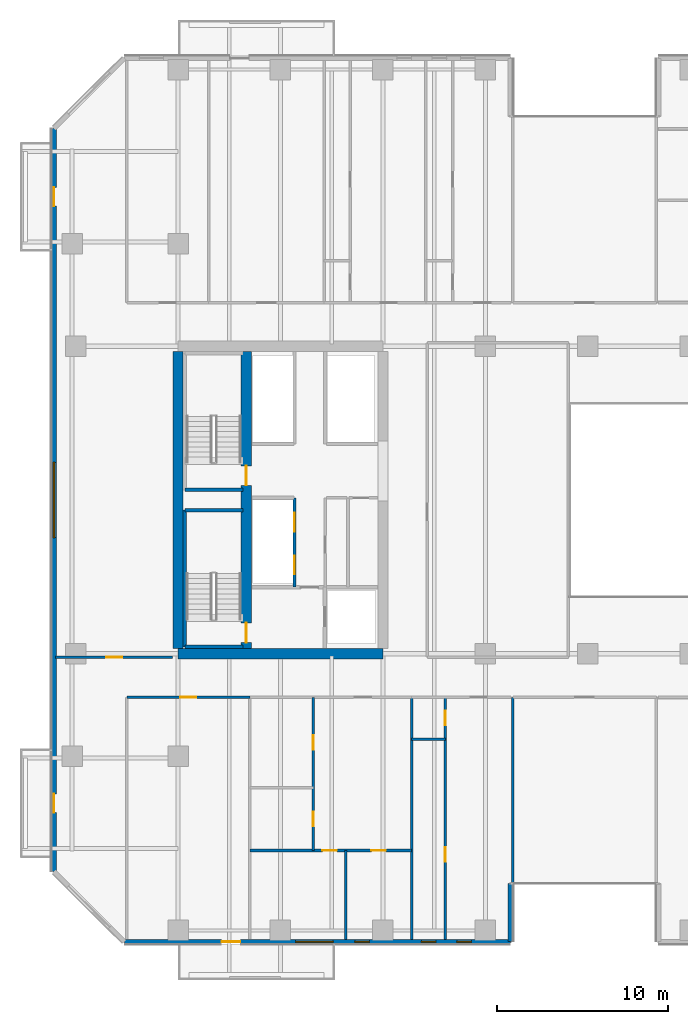
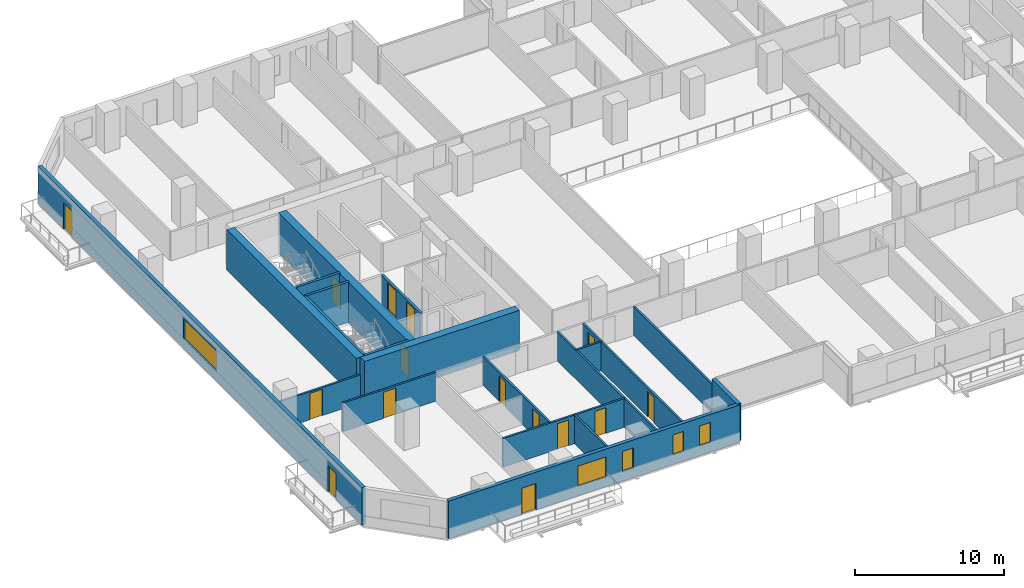
# One storey, part 10 of 26: 20 walls, 15 doors, 5 windows, 20 openings.
"""IFC4 building model written with IfcOpenShell, lengths in metres."""

import ifcopenshell
import ifcopenshell.guid

model = None  # the IFC model being written
_history = None  # IfcOwnerHistory: only IFC2X3 demands one
_inside = {}  # id of a spatial element -> (the spatial element, [elements in it])
_under = {}  # id of a project, library or spatial element -> (it, [spatial elements below it])
_declared = {}  # id of a project -> (the project, [libraries it declares])
_typed = {}  # id of a type object -> (the type object, [elements of that type])
_made_of = {}  # id of a material, layer set ... -> (it, [elements and type objects made of it])


def new_model(schema):
    """Start an empty IFC model of exactly this schema.

    Asked for "IFC4X3", IfcOpenShell would pick the latest addendum, in which some entities
    have other attributes; the version numbers below select the first issue.
    IFC2X3 requires an IfcOwnerHistory on every rooted entity: one is made here for all.
    """
    global model, _history
    if schema == "IFC4X3":
        model = ifcopenshell.file(schema_version=(4, 3, 0, 0))
    else:
        model = ifcopenshell.file(schema=schema)
    _inside.clear()
    _under.clear()
    _declared.clear()
    _typed.clear()
    _made_of.clear()
    _history = None
    if model.schema == "IFC2X3":
        org = make("IfcOrganization", Name="unknown")
        user = make(
            "IfcPersonAndOrganization",
            ThePerson=make("IfcPerson", FamilyName="unknown"),
            TheOrganization=org,
        )
        app = make(
            "IfcApplication",
            ApplicationDeveloper=org,
            Version="unknown",
            ApplicationFullName="unknown",
            ApplicationIdentifier="unknown",
        )
        _history = make(
            "IfcOwnerHistory",
            OwningUser=user,
            OwningApplication=app,
            ChangeAction="ADDED",
            CreationDate=0,
        )
    return model


def make(cls, **values):
    """One entity of the class cls with the attributes given. An attribute that is None is left unset."""
    return model.create_entity(
        cls, **{name: value for name, value in values.items() if value is not None}
    )


def rooted(cls, **values):
    """An entity with a GlobalId (a new one), such as an element, a storey or a relation."""
    return make(cls, GlobalId=ifcopenshell.guid.new(), OwnerHistory=_history, **values)


def si_unit(unit_type, name, prefix=None):
    """IfcSIUnit, for example si_unit("LENGTHUNIT", "METRE", prefix="MILLI")."""
    return make("IfcSIUnit", UnitType=unit_type, Prefix=prefix, Name=name)


def assignment(units):
    """IfcUnitAssignment: the units of a project."""
    return None if units is None else make("IfcUnitAssignment", Units=units)


def point(xyz):
    """IfcCartesianPoint."""
    return None if xyz is None else make("IfcCartesianPoint", Coordinates=xyz)


def direction(xyz):
    """IfcDirection."""
    return None if xyz is None else make("IfcDirection", DirectionRatios=xyz)


def frame(location, z_axis=None, x_axis=None):
    """IfcAxis2Placement3D, a coordinate frame: its origin and axes. An axis left out is left unset."""
    return make(
        "IfcAxis2Placement3D",
        Location=point(location),
        Axis=direction(z_axis),
        RefDirection=direction(x_axis),
    )


def frame_2d(location, x_axis=None):
    """IfcAxis2Placement2D, a coordinate frame in the plane: its origin and x axis."""
    return make(
        "IfcAxis2Placement2D", Location=point(location), RefDirection=direction(x_axis)
    )


def origin():
    """The frame at (0, 0, 0) with its axes left unset."""
    return frame((0.0, 0.0, 0.0))


def place(relative_to, where):
    """IfcLocalPlacement: puts the frame where relative to a parent placement (None: the world)."""
    return make(
        "IfcLocalPlacement", PlacementRelTo=relative_to, RelativePlacement=where
    )


def context(
    kind, dimensions, precision=None, world=None, true_north=None, identifier=None
):
    """IfcGeometricRepresentationContext, for example the 3D "Model" context."""
    return make(
        "IfcGeometricRepresentationContext",
        ContextIdentifier=identifier,
        ContextType=kind,
        CoordinateSpaceDimension=dimensions,
        Precision=precision,
        WorldCoordinateSystem=world,
        TrueNorth=true_north,
    )


def subcontext(parent, identifier, kind, view, scale=None):
    """IfcGeometricRepresentationSubContext, for example "Body" below "Model"."""
    return make(
        "IfcGeometricRepresentationSubContext",
        ContextIdentifier=identifier,
        ContextType=kind,
        ParentContext=parent,
        TargetScale=scale,
        TargetView=view,
    )


def project(units=None, contexts=None):
    """IfcProject with its units and contexts."""
    return rooted(
        "IfcProject",
        Name="project",
        RepresentationContexts=contexts,
        UnitsInContext=assignment(units),
    )


def spatial(cls, under=None, at=None, **own):
    """A site, building, storey or space (cls), placed at a placement, below another one or the project."""
    s = rooted(cls, ObjectPlacement=at, **own)
    if under is not None:
        _under.setdefault(under.id(), (under, []))[1].append(s)
    return s


def profile(cls, at=None, kind="AREA", **sizes):
    """A parametric profile (cls). Its sizes go by their IFC names, for example OverallWidth=200.0."""
    return make(cls, ProfileType=kind, Position=at, **sizes)


def rectangle(**sizes):
    """IfcRectangleProfileDef."""
    return profile("IfcRectangleProfileDef", **sizes)


def extrude(swept, where, along, depth):
    """IfcExtrudedAreaSolid: the profile swept, set in the frame where, extruded along a direction by depth."""
    return make(
        "IfcExtrudedAreaSolid",
        SweptArea=swept,
        Position=where,
        ExtrudedDirection=direction(along),
        Depth=depth,
    )


def shape(context_of_items, identifier, shape_type, items):
    """IfcShapeRepresentation: the items that make up one representation, for example the "Body"."""
    return make(
        "IfcShapeRepresentation",
        ContextOfItems=context_of_items,
        RepresentationIdentifier=identifier,
        RepresentationType=shape_type,
        Items=items,
    )


def material(Name=None, Category=None):
    """IfcMaterial."""
    return make("IfcMaterial", Name=Name, Category=Category)


def layer(
    of_material, thickness, ventilated=None, Name=None, Category=None, Priority=None
):
    """IfcMaterialLayer: one layer of a wall or slab, of a material (None: an air gap)."""
    return make(
        "IfcMaterialLayer",
        Material=of_material,
        LayerThickness=thickness,
        IsVentilated=ventilated,
        Name=Name,
        Category=Category,
        Priority=Priority,
    )


def layer_set(layers, Name=None):
    """IfcMaterialLayerSet."""
    return make("IfcMaterialLayerSet", MaterialLayers=layers, LayerSetName=Name)


def made_of(thing, what):
    """Note that an element or type object is made of a material, layer set ...; save() writes the relation."""
    if what is not None:
        _made_of.setdefault(what.id(), (what, []))[1].append(thing)
    return thing


def type_object(cls, material=None, **own):
    """A type object (cls), such as IfcWallType, which elements share."""
    return made_of(rooted(cls, **own), material)


def element(
    cls,
    number,
    at=None,
    inside=None,
    cuts=None,
    type_object=None,
    material=None,
    context=None,
    identifier="Body",
    shape_type=None,
    held_by="IfcProductDefinitionShape",
    body=None,
    shapes=None,
    **own,
):
    """One element of the class cls, such as IfcWall. Its Tag is "e" and its number.

    at: its placement. inside: the storey or other place that contains it. cuts: it is an
    opening in that element (IfcRelVoidsElement). A single representation is given by context,
    identifier, shape_type and body (its items); several are given by shapes. held_by: the class
    of the entity that holds the representations. save() writes the other relations.
    """
    e = rooted(cls, Tag="e%d" % number, ObjectPlacement=at, **own)
    if body is not None:
        shapes = [shape(context, identifier, shape_type, body)]
    if shapes is not None:
        e.Representation = make(held_by, Representations=shapes)
    if inside is not None:
        _inside.setdefault(inside.id(), (inside, []))[1].append(e)
    if cuts is not None:
        rooted(
            "IfcRelVoidsElement", RelatingBuildingElement=cuts, RelatedOpeningElement=e
        )
    if type_object is not None:
        _typed.setdefault(type_object.id(), (type_object, []))[1].append(e)
    return made_of(e, material)


def fill(opening, filler):
    """IfcRelFillsElement: the door or window that sits in an opening."""
    return rooted(
        "IfcRelFillsElement",
        RelatingOpeningElement=opening,
        RelatedBuildingElement=filler,
    )


def aggregate(whole, parts):
    """IfcRelAggregates: a whole, such as a stair, and the parts it consists of."""
    return rooted("IfcRelAggregates", RelatingObject=whole, RelatedObjects=parts)


def save(model, path):
    """Write the relations noted so far, then the file.

    IfcRelAggregates (storeys below a building ...), IfcRelContainedInSpatialStructure (elements
    in a storey), IfcRelDefinesByType, IfcRelAssociatesMaterial and IfcRelDeclares: one each for
    every whole, place, type object, material and project.
    """
    for whole, parts in _under.values():
        aggregate(whole, parts)
    for where, things in _inside.values():
        rooted(
            "IfcRelContainedInSpatialStructure",
            RelatedElements=things,
            RelatingStructure=where,
        )
    for kind, things in _typed.values():
        rooted("IfcRelDefinesByType", RelatedObjects=things, RelatingType=kind)
    for what, things in _made_of.values():
        rooted("IfcRelAssociatesMaterial", RelatedObjects=things, RelatingMaterial=what)
    for by, libraries in _declared.values():
        rooted("IfcRelDeclares", RelatingContext=by, RelatedDefinitions=libraries)
    model.write(path)


model = new_model("IFC4")

# Units and contexts
model_context = context("Model", 3, precision=1e-05, world=origin(), true_north=direction((0.0, 1.0)))
body_context = subcontext(model_context, "Body", "Model", "MODEL_VIEW")
ifc_project = project(units=[si_unit("LENGTHUNIT", "METRE"), si_unit("AREAUNIT", "SQUARE_METRE"), si_unit("VOLUMEUNIT", "CUBIC_METRE"), si_unit("PLANEANGLEUNIT", "RADIAN"), si_unit("MASSUNIT", "GRAM", prefix="KILO")], contexts=[model_context])

# Site, building, storey
site_placement = place(None, origin())
site = spatial("IfcSite", under=ifc_project, at=site_placement, CompositionType="ELEMENT")
building_placement = place(site_placement, origin())
building = spatial("IfcBuilding", under=site, at=building_placement, Name="Tanjung Sevakor Pilgrim Tower", CompositionType="ELEMENT")
storey_placement = place(building_placement, frame((0.0, 0.0, 45.5400390625)))
storey = spatial("IfcBuildingStorey", under=building, at=storey_placement, Name="L12", CompositionType="ELEMENT", Elevation=45.5400390625)

# Walls
ifc_material_1 = material(Name="Concrete C60/75", Category="concrete")
ifc_layer_1 = layer(ifc_material_1, 0.60009765625)
ifc_layer_set_1 = layer_set([ifc_layer_1], Name="WALL-CW-600")
wall_type_1 = type_object("IfcWallType", Name="WALL-CW-600", PredefinedType="SHEAR", material=ifc_layer_set_1)
wall_1_placement = place(storey_placement, frame((24.0, 24.60009765625, 0.0), z_axis=(0.0, 0.0, 1.0), x_axis=(1.0, 0.0, 0.0)))
element("IfcWall", 1, at=wall_1_placement, inside=storey, type_object=wall_type_1, Name="L12 W Core South Shear Wall", PredefinedType="SHEAR", context=body_context, shape_type="SweptSolid", body=[
    extrude(rectangle(XDim=12.0, YDim=0.60009765625, at=frame_2d((6.0, 0.0))), origin(), (0.0, 0.0, 1.0), 3.300048828125),
])
wall_2_placement = place(storey_placement, frame((24.0, 24.89990234375, 0.0), z_axis=(0.0, 0.0, 1.0), x_axis=(0.0, 1.0, 0.0)))
element("IfcWall", 2, at=wall_2_placement, inside=storey, type_object=wall_type_1, Name="L12 W Core Outer Shear Wall", PredefinedType="SHEAR", context=body_context, shape_type="SweptSolid", body=[
    extrude(rectangle(XDim=17.400146484375, YDim=0.60009765625, at=frame_2d((8.7001953125, 0.0))), origin(), (0.0, 0.0, 1.0), 3.300048828125),
])

# Wall, openings, doors
wall_3_placement = place(storey_placement, frame((28.0, 24.89990234375, 0.0), z_axis=(0.0, 0.0, 1.0), x_axis=(0.0, 1.0, 0.0)))
wall_3 = element("IfcWall", 3, at=wall_3_placement, inside=storey, type_object=wall_type_1, Name="L12 W Core Stair Spine Wall", PredefinedType="SHEAR", context=body_context, shape_type="SweptSolid", body=[
    extrude(rectangle(XDim=17.400146484375, YDim=0.60009765625, at=frame_2d((8.7001953125, 0.0))), origin(), (0.0, 0.0, 1.0), 3.300048828125),
])
opening_1_placement = place(wall_3_placement, frame((0.35009765625, 0.0, 0.0)))
opening_1 = element("IfcOpeningElement", 4, at=opening_1_placement, cuts=wall_3, Name="Opening ID-ST1", PredefinedType="OPENING", context=body_context, shape_type="SweptSolid", body=[
    extrude(rectangle(XDim=1.14990234375, YDim=2.14990234375, at=frame_2d((0.574951171875, 1.074951171875))), frame((0.0, 0.31005859375, 0.0), z_axis=(0.0, -1.0, 0.0), x_axis=(1.0, 0.0, 0.0)), (0.0, 0.0, 1.0), 0.6201171875),
])
opening_2_placement = place(wall_3_placement, frame((9.550048828125, 0.0, 0.0)))
opening_2 = element("IfcOpeningElement", 5, at=opening_2_placement, cuts=wall_3, Name="Opening ID-ST1", PredefinedType="OPENING", context=body_context, shape_type="SweptSolid", body=[
    extrude(rectangle(XDim=1.14990234375, YDim=2.14990234375, at=frame_2d((0.574951171875, 1.074951171875))), frame((0.0, 0.31005859375, 0.0), z_axis=(0.0, -1.0, 0.0), x_axis=(1.0, 0.0, 0.0)), (0.0, 0.0, 1.0), 0.6201171875),
])
ifc_material_2 = material(Name="Fire-Rated Steel S355J2", Category="steel")
door_type_1 = type_object("IfcDoorType", Name="DT-FIRE-1150", OperationType="NOTDEFINED", PredefinedType="DOOR", material=ifc_material_2)
door_1_placement = place(opening_1_placement, origin())
door_1 = element("IfcDoor", 6, at=door_1_placement, inside=storey, type_object=door_type_1, Name="L12 TS-W1 Stair Fire Door", OperationType="SINGLE_SWING_LEFT", OverallHeight=2.14990234375, OverallWidth=1.14990234375, PredefinedType="DOOR", context=body_context, shape_type="SweptSolid", body=[
    extrude(rectangle(XDim=1.14990234375, YDim=2.14990234375, at=frame_2d((0.574951171875, 1.074951171875))), frame((0.0, 0.02490234375, 0.0), z_axis=(0.0, -1.0, 0.0), x_axis=(1.0, 0.0, 0.0)), (0.0, 0.0, 1.0), 0.050048828125),
])
fill(opening_1, door_1)
door_2_placement = place(opening_2_placement, origin())
door_2 = element("IfcDoor", 7, at=door_2_placement, inside=storey, type_object=door_type_1, Name="L12 TS-W2 Stair Fire Door", OperationType="SINGLE_SWING_RIGHT", OverallHeight=2.14990234375, OverallWidth=1.14990234375, PredefinedType="DOOR", context=body_context, shape_type="SweptSolid", body=[
    extrude(rectangle(XDim=1.14990234375, YDim=2.14990234375, at=frame_2d((0.574951171875, 1.074951171875))), frame((0.0, 0.02490234375, 0.0), z_axis=(0.0, -1.0, 0.0), x_axis=(1.0, 0.0, 0.0)), (0.0, 0.0, 1.0), 0.050048828125),
])
fill(opening_2, door_2)

# Wall, opening, door
ifc_material_3 = material(Name="Concrete C40/50", Category="concrete")
ifc_layer_2 = layer(ifc_material_3, 0.14990234375)
ifc_layer_set_2 = layer_set([ifc_layer_2], Name="WT-COMP-150")
wall_type_2 = type_object("IfcWallType", Name="WT-COMP-150", PredefinedType="SOLIDWALL", material=ifc_layer_set_2)
wall_4_placement = place(storey_placement, frame((16.840087890625, 24.39990234375, 0.0), z_axis=(0.0, 0.0, 1.0), x_axis=(1.0, 0.0, 0.0)))
wall_4 = element("IfcWall", 8, at=wall_4_placement, inside=storey, type_object=wall_type_2, Name="L12 Partition IW-L12-033", PredefinedType="SOLIDWALL", context=body_context, shape_type="SweptSolid", body=[
    extrude(rectangle(XDim=6.83984375, YDim=0.14990234375, at=frame_2d((3.419921875, 0.0))), origin(), (0.0, 0.0, 1.0), 2.295166015625),
])
opening_3_placement = place(wall_4_placement, frame((2.945068359375, 0.0, 0.0)))
opening_3 = element("IfcOpeningElement", 9, at=opening_3_placement, cuts=wall_4, Name="Opening ID-FD2", PredefinedType="OPENING", context=body_context, shape_type="SweptSolid", body=[
    extrude(rectangle(XDim=0.949951171875, YDim=2.14990234375, at=frame_2d((0.47509765625, 1.074951171875))), frame((0.0, 0.0849609375, 0.0), z_axis=(0.0, -1.0, 0.0), x_axis=(1.0, 0.0, 0.0)), (0.0, 0.0, 1.0), 0.169921875),
])
ifc_material_4 = material(Name="Fire-Rated Timber", Category="wood")
door_type_2 = type_object("IfcDoorType", Name="DT-FIRE-950", OperationType="NOTDEFINED", PredefinedType="DOOR", material=ifc_material_4)
door_3_placement = place(opening_3_placement, origin())
door_3 = element("IfcDoor", 10, at=door_3_placement, inside=storey, type_object=door_type_2, Name="Study Room Entrance", OperationType="SINGLE_SWING_RIGHT", OverallHeight=2.14990234375, OverallWidth=0.949951171875, PredefinedType="DOOR", context=body_context, shape_type="SweptSolid", body=[
    extrude(rectangle(XDim=0.949951171875, YDim=2.14990234375, at=frame_2d((0.47509765625, 1.074951171875))), frame((0.0, 0.02490234375, 0.0), z_axis=(0.0, -1.0, 0.0), x_axis=(1.0, 0.0, 0.0)), (0.0, 0.0, 1.0), 0.050048828125),
])
fill(opening_3, door_3)

# Wall
wall_5_placement = place(storey_placement, frame((43.60009765625, 7.8798828125, 0.0), z_axis=(0.0, 0.0, 1.0), x_axis=(0.0, 1.0, 0.0)))
element("IfcWall", 11, at=wall_5_placement, inside=storey, type_object=wall_type_2, Name="L12 Partition IW-L12-041", PredefinedType="SOLIDWALL", context=body_context, shape_type="SweptSolid", body=[
    extrude(rectangle(XDim=14.170166015625, YDim=0.14990234375, at=frame_2d((7.0849609375, 0.0))), origin(), (0.0, 0.0, 1.0), 2.35009765625),
])

# Wall, opening, door
wall_6_placement = place(storey_placement, frame((21.0, 22.050048828125, 0.0), z_axis=(0.0, 0.0, 1.0), x_axis=(1.0, 0.0, 0.0)))
wall_6 = element("IfcWall", 12, at=wall_6_placement, inside=storey, type_object=wall_type_2, Name="L12 Partition IW-L12-048", PredefinedType="SOLIDWALL", context=body_context, shape_type="SweptSolid", body=[
    extrude(rectangle(XDim=7.20654296875, YDim=0.14990234375, at=frame_2d((3.603271484375, 0.0))), origin(), (0.0, 0.0, 1.0), 2.35009765625),
])
opening_4_placement = place(wall_6_placement, frame((3.128173828125, 0.0, 0.0)))
opening_4 = element("IfcOpeningElement", 13, at=opening_4_placement, cuts=wall_6, Name="Opening ID-FD2", PredefinedType="OPENING", context=body_context, shape_type="SweptSolid", body=[
    extrude(rectangle(XDim=0.949951171875, YDim=2.14990234375, at=frame_2d((0.47509765625, 1.074951171875))), frame((0.0, 0.0849609375, 0.0), z_axis=(0.0, -1.0, 0.0), x_axis=(1.0, 0.0, 0.0)), (0.0, 0.0, 1.0), 0.169921875),
])
door_4_placement = place(opening_4_placement, origin())
door_4 = element("IfcDoor", 14, at=door_4_placement, inside=storey, type_object=door_type_2, Name="Study Room Entrance", OperationType="SINGLE_SWING_LEFT", OverallHeight=2.14990234375, OverallWidth=0.949951171875, PredefinedType="DOOR", context=body_context, shape_type="SweptSolid", body=[
    extrude(rectangle(XDim=0.949951171875, YDim=2.14990234375, at=frame_2d((0.47509765625, 1.074951171875))), frame((0.0, 0.02490234375, 0.0), z_axis=(0.0, -1.0, 0.0), x_axis=(1.0, 0.0, 0.0)), (0.0, 0.0, 1.0), 0.050048828125),
])
fill(opening_4, door_4)

# Wall
wall_7_placement = place(storey_placement, frame((37.671875, 7.8798828125, 0.0), z_axis=(0.0, 0.0, 1.0), x_axis=(0.0, 1.0, 0.0)))
element("IfcWall", 15, at=wall_7_placement, inside=storey, type_object=wall_type_2, Name="L12 Partition IW-L12-049", PredefinedType="SOLIDWALL", context=body_context, shape_type="SweptSolid", body=[
    extrude(rectangle(XDim=14.170166015625, YDim=0.14990234375, at=frame_2d((7.0849609375, 0.0))), origin(), (0.0, 0.0, 1.0), 2.35009765625),
])

# Wall, openings, door, windows
ifc_material_5 = material(Name="Precast concrete C45/55", Category="concrete")
ifc_layer_3 = layer(ifc_material_5, 0.280029296875)
ifc_layer_set_3 = layer_set([ifc_layer_3], Name="WT-EW-STN2")
wall_type_3 = type_object("IfcWallType", Name="WT-EW-STN2", PredefinedType="SOLIDWALL", material=ifc_layer_set_3)
wall_8_placement = place(storey_placement, frame((20.85791015625, 7.739990234375, 0.0), z_axis=(0.0, 0.0, 1.0), x_axis=(1.0, 0.0, 0.0)))
wall_8 = element("IfcWall", 16, at=wall_8_placement, inside=storey, type_object=wall_type_3, Name="L12 MAIN Exterior Wall 1", PredefinedType="SOLIDWALL", context=body_context, shape_type="SweptSolid", body=[
    extrude(rectangle(XDim=22.60205078125, YDim=0.280029296875, at=frame_2d((11.301025390625, 0.0))), origin(), (0.0, 0.0, 1.0), 3.080078125),
])
opening_5_placement = place(wall_8_placement, frame((5.69189453125, 0.0, 0.0)))
opening_5 = element("IfcOpeningElement", 17, at=opening_5_placement, cuts=wall_8, Name="Opening ED-BAL-1100", PredefinedType="OPENING", context=body_context, shape_type="SweptSolid", body=[
    extrude(rectangle(XDim=1.10009765625, YDim=2.14990234375, at=frame_2d((0.550048828125, 1.074951171875))), frame((0.0, 0.14990234375, 0.0), z_axis=(0.0, -1.0, 0.0), x_axis=(1.0, 0.0, 0.0)), (0.0, 0.0, 1.0), 0.300048828125),
])
opening_6_placement = place(wall_8_placement, frame((10.025146484375, 0.0, 0.780029296875)))
opening_6 = element("IfcOpeningElement", 18, at=opening_6_placement, cuts=wall_8, Name="Opening WN-Z1-1660", PredefinedType="OPENING", context=body_context, shape_type="SweptSolid", body=[
    extrude(rectangle(XDim=2.199951171875, YDim=1.659912109375, at=frame_2d((1.10009765625, 0.830078125))), frame((0.0, 0.14990234375, 0.0), z_axis=(0.0, -1.0, 0.0), x_axis=(1.0, 0.0, 0.0)), (0.0, 0.0, 1.0), 0.300048828125),
])
opening_7_placement = place(wall_8_placement, frame((13.492919921875, 0.0, 0.780029296875)))
opening_7 = element("IfcOpeningElement", 19, at=opening_7_placement, cuts=wall_8, Name="Opening WN-SLM", PredefinedType="OPENING", context=body_context, shape_type="SweptSolid", body=[
    extrude(rectangle(XDim=0.85009765625, YDim=1.64990234375, at=frame_2d((0.425048828125, 0.824951171875))), frame((0.0, 0.14990234375, 0.0), z_axis=(0.0, -1.0, 0.0), x_axis=(1.0, 0.0, 0.0)), (0.0, 0.0, 1.0), 0.300048828125),
])
opening_8_placement = place(wall_8_placement, frame((17.38623046875, 0.0, 0.780029296875)))
opening_8 = element("IfcOpeningElement", 20, at=opening_8_placement, cuts=wall_8, Name="Opening WN-SLM", PredefinedType="OPENING", context=body_context, shape_type="SweptSolid", body=[
    extrude(rectangle(XDim=0.85009765625, YDim=1.64990234375, at=frame_2d((0.425048828125, 0.824951171875))), frame((0.0, 0.14990234375, 0.0), z_axis=(0.0, -1.0, 0.0), x_axis=(1.0, 0.0, 0.0)), (0.0, 0.0, 1.0), 0.300048828125),
])
opening_9_placement = place(wall_8_placement, frame((19.47021484375, 0.0, 0.780029296875)))
opening_9 = element("IfcOpeningElement", 21, at=opening_9_placement, cuts=wall_8, Name="Opening WN-SLM", PredefinedType="OPENING", context=body_context, shape_type="SweptSolid", body=[
    extrude(rectangle(XDim=0.85009765625, YDim=1.64990234375, at=frame_2d((0.425048828125, 0.824951171875))), frame((0.0, 0.14990234375, 0.0), z_axis=(0.0, -1.0, 0.0), x_axis=(1.0, 0.0, 0.0)), (0.0, 0.0, 1.0), 0.300048828125),
])
ifc_material_6 = material(Name="Anodised Aluminium and Laminated Glass", Category="aluminium")
door_type_3 = type_object("IfcDoorType", Name="DTYP-ED-BAL-1100", OperationType="NOTDEFINED", PredefinedType="DOOR", material=ifc_material_6)
door_5_placement = place(opening_5_placement, frame((1.10009765625, 0.0, 0.0), z_axis=(0.0, 0.0, 1.0), x_axis=(-1.0, 0.0, 0.0)))
door_5 = element("IfcDoor", 22, at=door_5_placement, inside=storey, type_object=door_type_3, Name="L12 Balcony Door MAIN-S1", OperationType="SINGLE_SWING_RIGHT", OverallHeight=2.14990234375, OverallWidth=1.10009765625, PredefinedType="DOOR", context=body_context, shape_type="SweptSolid", body=[
    extrude(rectangle(XDim=1.10009765625, YDim=2.14990234375, at=frame_2d((0.550048828125, 1.074951171875))), frame((0.0, 0.02490234375, 0.0), z_axis=(0.0, -1.0, 0.0), x_axis=(1.0, 0.0, 0.0)), (0.0, 0.0, 1.0), 0.050048828125),
])
fill(opening_5, door_5)
ifc_material_7 = material(Name="Thermally Broken Aluminium and Low-E Glass", Category="aluminium")
window_type_1 = type_object("IfcWindowType", Name="WTYP-WN-SLM", PartitioningType="SINGLE_PANEL", PredefinedType="WINDOW", material=ifc_material_7)
window_1_placement = place(opening_7_placement, origin())
window_1 = element("IfcWindow", 23, at=window_1_placement, inside=storey, type_object=window_type_1, Name="L12 Facade Window 02", OverallHeight=1.64990234375, OverallWidth=0.85009765625, PartitioningType="SINGLE_PANEL", PredefinedType="WINDOW", context=body_context, shape_type="SweptSolid", body=[
    extrude(rectangle(XDim=0.85009765625, YDim=1.64990234375, at=frame_2d((0.425048828125, 0.824951171875))), frame((0.0, 0.030029296875, 0.0), z_axis=(0.0, -1.0, 0.0), x_axis=(1.0, 0.0, 0.0)), (0.0, 0.0, 1.0), 0.06005859375),
])
fill(opening_7, window_1)
window_2_placement = place(opening_8_placement, origin())
window_2 = element("IfcWindow", 24, at=window_2_placement, inside=storey, type_object=window_type_1, Name="L12 Facade Window 03", OverallHeight=1.64990234375, OverallWidth=0.85009765625, PartitioningType="SINGLE_PANEL", PredefinedType="WINDOW", context=body_context, shape_type="SweptSolid", body=[
    extrude(rectangle(XDim=0.85009765625, YDim=1.64990234375, at=frame_2d((0.425048828125, 0.824951171875))), frame((0.0, 0.030029296875, 0.0), z_axis=(0.0, -1.0, 0.0), x_axis=(1.0, 0.0, 0.0)), (0.0, 0.0, 1.0), 0.06005859375),
])
fill(opening_8, window_2)
window_3_placement = place(opening_9_placement, origin())
window_3 = element("IfcWindow", 25, at=window_3_placement, inside=storey, type_object=window_type_1, Name="L12 Facade Window 04", OverallHeight=1.64990234375, OverallWidth=0.85009765625, PartitioningType="SINGLE_PANEL", PredefinedType="WINDOW", context=body_context, shape_type="SweptSolid", body=[
    extrude(rectangle(XDim=0.85009765625, YDim=1.64990234375, at=frame_2d((0.425048828125, 0.824951171875))), frame((0.0, 0.030029296875, 0.0), z_axis=(0.0, -1.0, 0.0), x_axis=(1.0, 0.0, 0.0)), (0.0, 0.0, 1.0), 0.06005859375),
])
fill(opening_9, window_3)
ifc_material_8 = material(Name="Thermally Broken Aluminium and Low-E Glass", Category="aluminium")
window_type_2 = type_object("IfcWindowType", Name="WTYP-WN-Z1-1660", PartitioningType="DOUBLE_PANEL_VERTICAL", PredefinedType="WINDOW", material=ifc_material_8)
window_4_placement = place(opening_6_placement, origin())
window_4 = element("IfcWindow", 26, at=window_4_placement, inside=storey, type_object=window_type_2, Name="L12 Facade Window 01", OverallHeight=1.659912109375, OverallWidth=2.199951171875, PartitioningType="SINGLE_PANEL", PredefinedType="WINDOW", context=body_context, shape_type="SweptSolid", body=[
    extrude(rectangle(XDim=2.199951171875, YDim=1.659912109375, at=frame_2d((1.10009765625, 0.830078125))), frame((0.0, 0.030029296875, 0.0), z_axis=(0.0, -1.0, 0.0), x_axis=(1.0, 0.0, 0.0)), (0.0, 0.0, 1.0), 0.06005859375),
])
fill(opening_6, window_4)

# Wall
wall_9_placement = place(storey_placement, frame((43.4599609375, 7.739990234375, 0.0), z_axis=(0.0, 0.0, 1.0), x_axis=(0.0, 1.0, 0.0)))
element("IfcWall", 27, at=wall_9_placement, inside=storey, type_object=wall_type_3, Name="L12 MAIN Exterior Wall 2", PredefinedType="SOLIDWALL", context=body_context, shape_type="SweptSolid", body=[
    extrude(rectangle(XDim=3.39990234375, YDim=0.280029296875, at=frame_2d((1.699951171875, 0.0))), origin(), (0.0, 0.0, 1.0), 3.080078125),
])

# Wall, openings, doors, window
wall_10_placement = place(storey_placement, frame((16.739990234375, 55.342041015625, 0.0), z_axis=(0.0, 0.0, 1.0), x_axis=(0.0, -1.0, 0.0)))
wall_10 = element("IfcWall", 28, at=wall_10_placement, inside=storey, type_object=wall_type_3, Name="L12 MAIN Exterior Wall 15", PredefinedType="SOLIDWALL", context=body_context, shape_type="SweptSolid", body=[
    extrude(rectangle(XDim=43.484130859375, YDim=0.280029296875, at=frame_2d((21.7421875, 0.0))), origin(), (0.0, 0.0, 1.0), 3.080078125),
])
opening_10_placement = place(wall_10_placement, frame((38.94189453125, 0.0, 0.0)))
opening_10 = element("IfcOpeningElement", 29, at=opening_10_placement, cuts=wall_10, Name="Opening ED-BAL-1100", PredefinedType="OPENING", context=body_context, shape_type="SweptSolid", body=[
    extrude(rectangle(XDim=1.10009765625, YDim=2.14990234375, at=frame_2d((0.550048828125, 1.074951171875))), frame((0.0, 0.14990234375, 0.0), z_axis=(0.0, -1.0, 0.0), x_axis=(1.0, 0.0, 0.0)), (0.0, 0.0, 1.0), 0.300048828125),
])
opening_11_placement = place(wall_10_placement, frame((3.44189453125, 0.0, 0.0)))
opening_11 = element("IfcOpeningElement", 30, at=opening_11_placement, cuts=wall_10, Name="Opening ED-BAL-1100", PredefinedType="OPENING", context=body_context, shape_type="SweptSolid", body=[
    extrude(rectangle(XDim=1.10009765625, YDim=2.14990234375, at=frame_2d((0.550048828125, 1.074951171875))), frame((0.0, 0.14990234375, 0.0), z_axis=(0.0, -1.0, 0.0), x_axis=(1.0, 0.0, 0.0)), (0.0, 0.0, 1.0), 0.300048828125),
])
opening_12_placement = place(wall_10_placement, frame((19.5419921875, 0.0, 0.780029296875)))
opening_12 = element("IfcOpeningElement", 31, at=opening_12_placement, cuts=wall_10, Name="Opening WN-ENDW-1660", PredefinedType="OPENING", context=body_context, shape_type="SweptSolid", body=[
    extrude(rectangle(XDim=4.39990234375, YDim=1.659912109375, at=frame_2d((2.199951171875, 0.830078125))), frame((0.0, 0.14990234375, 0.0), z_axis=(0.0, -1.0, 0.0), x_axis=(1.0, 0.0, 0.0)), (0.0, 0.0, 1.0), 0.300048828125),
])
door_6_placement = place(opening_10_placement, frame((1.10009765625, 0.0, 0.0), z_axis=(0.0, 0.0, 1.0), x_axis=(-1.0, 0.0, 0.0)))
door_6 = element("IfcDoor", 32, at=door_6_placement, inside=storey, type_object=door_type_3, Name="L12 West Loggia Door MAIN-W1", OperationType="SINGLE_SWING_RIGHT", OverallHeight=2.14990234375, OverallWidth=1.10009765625, PredefinedType="DOOR", context=body_context, shape_type="SweptSolid", body=[
    extrude(rectangle(XDim=1.10009765625, YDim=2.14990234375, at=frame_2d((0.550048828125, 1.074951171875))), frame((0.0, 0.02490234375, 0.0), z_axis=(0.0, -1.0, 0.0), x_axis=(1.0, 0.0, 0.0)), (0.0, 0.0, 1.0), 0.050048828125),
])
fill(opening_10, door_6)
door_7_placement = place(opening_11_placement, frame((1.10009765625, 0.0, 0.0), z_axis=(0.0, 0.0, 1.0), x_axis=(-1.0, 0.0, 0.0)))
door_7 = element("IfcDoor", 33, at=door_7_placement, inside=storey, type_object=door_type_3, Name="L12 West Loggia Door MAIN-W2", OperationType="SINGLE_SWING_LEFT", OverallHeight=2.14990234375, OverallWidth=1.10009765625, PredefinedType="DOOR", context=body_context, shape_type="SweptSolid", body=[
    extrude(rectangle(XDim=1.10009765625, YDim=2.14990234375, at=frame_2d((0.550048828125, 1.074951171875))), frame((0.0, 0.02490234375, 0.0), z_axis=(0.0, -1.0, 0.0), x_axis=(1.0, 0.0, 0.0)), (0.0, 0.0, 1.0), 0.050048828125),
])
fill(opening_11, door_7)
ifc_material_9 = material(Name="Thermally Broken Aluminium and Low-E Glass", Category="aluminium")
window_type_3 = type_object("IfcWindowType", Name="WTYP-WN-ENDW-1660", PartitioningType="DOUBLE_PANEL_VERTICAL", PredefinedType="WINDOW", material=ifc_material_9)
window_5_placement = place(opening_12_placement, origin())
window_5 = element("IfcWindow", 34, at=window_5_placement, inside=storey, type_object=window_type_3, Name="L12 Facade Window 01", OverallHeight=1.659912109375, OverallWidth=4.39990234375, PartitioningType="SINGLE_PANEL", PredefinedType="WINDOW", context=body_context, shape_type="SweptSolid", body=[
    extrude(rectangle(XDim=4.39990234375, YDim=1.659912109375, at=frame_2d((2.199951171875, 0.830078125))), frame((0.0, 0.030029296875, 0.0), z_axis=(0.0, -1.0, 0.0), x_axis=(1.0, 0.0, 0.0)), (0.0, 0.0, 1.0), 0.06005859375),
])
fill(opening_12, window_5)

# Walls
ifc_material_10 = material(Name="Concrete C40/50", Category="concrete")
ifc_layer_4 = layer(ifc_material_10, 0.199951171875)
ifc_layer_set_4 = layer_set([ifc_layer_4], Name="WT-FIRE-200")
wall_type_4 = type_object("IfcWallType", Name="WT-FIRE-200", PredefinedType="SOLIDWALL", material=ifc_layer_set_4)
for number, where, z_axis, x_axis, name in (
    (35, (24.39990234375, 25.0, 0.0), (0.0, 0.0, 1.0), (1.0, 0.0, 0.0), "L12 TS-W1 Shaft Wall 1"),
    (36, (27.800048828125, 33.0, 0.0), (0.0, 0.0, 1.0), (-1.0, 0.0, 0.0), "L12 TS-W1 Shaft Wall 2"),
):
    element("IfcWall", number, at=place(storey_placement, frame(where, z_axis=z_axis, x_axis=x_axis)), inside=storey, type_object=wall_type_4, Name=name, PredefinedType="SOLIDWALL", context=body_context, shape_type="SweptSolid", body=[
        extrude(rectangle(XDim=3.400146484375, YDim=0.199951171875, at=frame_2d((1.7001953125, 0.0))), origin(), (0.0, 0.0, 1.0), 3.300048828125),
    ])
wall_11_placement = place(storey_placement, frame((24.39990234375, 33.0, 0.0), z_axis=(0.0, 0.0, 1.0), x_axis=(0.0, -1.0, 0.0)))
element("IfcWall", 37, at=wall_11_placement, inside=storey, type_object=wall_type_4, Name="L12 TS-W1 Shaft Wall 3", PredefinedType="SOLIDWALL", context=body_context, shape_type="SweptSolid", body=[
    extrude(rectangle(XDim=8.0, YDim=0.199951171875, at=frame_2d((4.0, 0.0))), origin(), (0.0, 0.0, 1.0), 3.300048828125),
])
wall_12_placement = place(storey_placement, frame((24.39990234375, 34.199951171875, 0.0), z_axis=(0.0, 0.0, 1.0), x_axis=(1.0, 0.0, 0.0)))
element("IfcWall", 38, at=wall_12_placement, inside=storey, type_object=wall_type_4, Name="L12 TS-W2 Shaft Wall 1", PredefinedType="SOLIDWALL", context=body_context, shape_type="SweptSolid", body=[
    extrude(rectangle(XDim=3.400146484375, YDim=0.199951171875, at=frame_2d((1.7001953125, 0.0))), origin(), (0.0, 0.0, 1.0), 3.300048828125),
])

# Wall, openings, doors
ifc_material_11 = material(Name="Concrete C40/50", Category="concrete")
ifc_layer_5 = layer(ifc_material_11, 0.199951171875)
ifc_layer_set_5 = layer_set([ifc_layer_5], Name="WT-FPRT-200")
wall_type_5 = type_object("IfcWallType", Name="WT-FPRT-200", PredefinedType="SOLIDWALL", material=ifc_layer_set_5)
wall_13_placement = place(storey_placement, frame((30.820068359375, 28.5, 0.0), z_axis=(0.0, 0.0, 1.0), x_axis=(0.0, 1.0, 0.0)))
wall_13 = element("IfcWall", 39, at=wall_13_placement, inside=storey, type_object=wall_type_5, Name="L12 Partition IW-L12-004", PredefinedType="SOLIDWALL", context=body_context, shape_type="SweptSolid", body=[
    extrude(rectangle(XDim=5.219970703125, YDim=0.199951171875, at=frame_2d((2.60986328125, 0.0))), origin(), (0.0, 0.0, 1.0), 2.35009765625),
])
opening_13_placement = place(wall_13_placement, frame((0.75, 0.0, 0.0)))
opening_13 = element("IfcOpeningElement", 40, at=opening_13_placement, cuts=wall_13, Name="Opening LD-1100", PredefinedType="OPENING", context=body_context, shape_type="SweptSolid", body=[
    extrude(rectangle(XDim=1.10009765625, YDim=2.199951171875, at=frame_2d((0.550048828125, 1.10009765625))), frame((0.0, 0.10986328125, 0.0), z_axis=(0.0, -1.0, 0.0), x_axis=(1.0, 0.0, 0.0)), (0.0, 0.0, 1.0), 0.219970703125),
])
opening_14_placement = place(wall_13_placement, frame((3.25, 0.0, 0.0)))
opening_14 = element("IfcOpeningElement", 41, at=opening_14_placement, cuts=wall_13, Name="Opening LD-1100", PredefinedType="OPENING", context=body_context, shape_type="SweptSolid", body=[
    extrude(rectangle(XDim=1.10009765625, YDim=2.199951171875, at=frame_2d((0.550048828125, 1.10009765625))), frame((0.0, 0.10986328125, 0.0), z_axis=(0.0, -1.0, 0.0), x_axis=(1.0, 0.0, 0.0)), (0.0, 0.0, 1.0), 0.219970703125),
])
ifc_material_12 = material(Name="Brushed Stainless Steel S355J2", Category="steel")
door_type_4 = type_object("IfcDoorType", Name="DT-LIFT-1100", OperationType="SLIDING_TO_LEFT", PredefinedType="DOOR", material=ifc_material_12)
door_8_placement = place(opening_13_placement, origin())
door_8 = element("IfcDoor", 42, at=door_8_placement, inside=storey, type_object=door_type_4, Name="LD-PLL1-W", OperationType="SLIDING_TO_LEFT", OverallHeight=2.199951171875, OverallWidth=1.10009765625, PredefinedType="DOOR", context=body_context, shape_type="SweptSolid", body=[
    extrude(rectangle(XDim=1.10009765625, YDim=2.199951171875, at=frame_2d((0.550048828125, 1.10009765625))), frame((0.0, 0.02490234375, 0.0), z_axis=(0.0, -1.0, 0.0), x_axis=(1.0, 0.0, 0.0)), (0.0, 0.0, 1.0), 0.050048828125),
])
fill(opening_13, door_8)
door_9_placement = place(opening_14_placement, origin())
door_9 = element("IfcDoor", 43, at=door_9_placement, inside=storey, type_object=door_type_4, Name="LD-PLL2-W", OperationType="SLIDING_TO_RIGHT", OverallHeight=2.199951171875, OverallWidth=1.10009765625, PredefinedType="DOOR", context=body_context, shape_type="SweptSolid", body=[
    extrude(rectangle(XDim=1.10009765625, YDim=2.199951171875, at=frame_2d((0.550048828125, 1.10009765625))), frame((0.0, 0.02490234375, 0.0), z_axis=(0.0, -1.0, 0.0), x_axis=(1.0, 0.0, 0.0)), (0.0, 0.0, 1.0), 0.050048828125),
])
fill(opening_14, door_9)

ifc_material_13 = material(Name="Gypsum Board Partition", Category="gypsum board")
ifc_layer_6 = layer(ifc_material_13, 0.14990234375)
ifc_layer_set_6 = layer_set([ifc_layer_6], Name="WT-PART-150")
wall_type_6 = type_object("IfcWallType", Name="WT-PART-150", PredefinedType="PARTITIONING", material=ifc_layer_set_6)
wall_14_placement = place(storey_placement, frame((31.919921875, 13.080078125, 0.0), z_axis=(0.0, 0.0, 1.0), x_axis=(0.0, 1.0, 0.0)))
wall_14 = element("IfcWall", 44, at=wall_14_placement, inside=storey, type_object=wall_type_6, Name="L12 Partition IW-L12-051", PredefinedType="PARTITIONING", context=body_context, shape_type="SweptSolid", body=[
    extrude(rectangle(XDim=8.969970703125, YDim=0.14990234375, at=frame_2d((4.48486328125, 0.0))), origin(), (0.0, 0.0, 1.0), 2.35009765625),
])
opening_15_placement = place(wall_14_placement, frame((1.413818359375, 0.0, 0.0)))
opening_15 = element("IfcOpeningElement", 45, at=opening_15_placement, cuts=wall_14, Name="Opening ID-WC1", PredefinedType="OPENING", context=body_context, shape_type="SweptSolid", body=[
    extrude(rectangle(XDim=0.85009765625, YDim=2.10009765625, at=frame_2d((0.425048828125, 1.050048828125))), frame((0.0, 0.0849609375, 0.0), z_axis=(0.0, -1.0, 0.0), x_axis=(1.0, 0.0, 0.0)), (0.0, 0.0, 1.0), 0.169921875),
])
opening_16_placement = place(wall_14_placement, frame((5.89892578125, 0.0, 0.0)))
opening_16 = element("IfcOpeningElement", 46, at=opening_16_placement, cuts=wall_14, Name="Opening ID-WC1", PredefinedType="OPENING", context=body_context, shape_type="SweptSolid", body=[
    extrude(rectangle(XDim=0.85009765625, YDim=2.10009765625, at=frame_2d((0.425048828125, 1.050048828125))), frame((0.0, 0.0849609375, 0.0), z_axis=(0.0, -1.0, 0.0), x_axis=(1.0, 0.0, 0.0)), (0.0, 0.0, 1.0), 0.169921875),
])
ifc_material_14 = material(Name="Moisture-Resistant Timber", Category="wood")
door_type_5 = type_object("IfcDoorType", Name="DT-INT-850", OperationType="NOTDEFINED", PredefinedType="DOOR", material=ifc_material_14)
door_10_placement = place(opening_15_placement, origin())
door_10 = element("IfcDoor", 47, at=door_10_placement, inside=storey, type_object=door_type_5, Name="Suite Bathroom Door", OperationType="SINGLE_SWING_RIGHT", OverallHeight=2.10009765625, OverallWidth=0.85009765625, PredefinedType="DOOR", context=body_context, shape_type="SweptSolid", body=[
    extrude(rectangle(XDim=0.85009765625, YDim=2.10009765625, at=frame_2d((0.425048828125, 1.050048828125))), frame((0.0, 0.02490234375, 0.0), z_axis=(0.0, -1.0, 0.0), x_axis=(1.0, 0.0, 0.0)), (0.0, 0.0, 1.0), 0.050048828125),
])
fill(opening_15, door_10)
door_11_placement = place(opening_16_placement, origin())
door_11 = element("IfcDoor", 48, at=door_11_placement, inside=storey, type_object=door_type_5, Name="Suite Kitchenette Door", OperationType="SINGLE_SWING_LEFT", OverallHeight=2.10009765625, OverallWidth=0.85009765625, PredefinedType="DOOR", context=body_context, shape_type="SweptSolid", body=[
    extrude(rectangle(XDim=0.85009765625, YDim=2.10009765625, at=frame_2d((0.425048828125, 1.050048828125))), frame((0.0, 0.02490234375, 0.0), z_axis=(0.0, -1.0, 0.0), x_axis=(1.0, 0.0, 0.0)), (0.0, 0.0, 1.0), 0.050048828125),
])
fill(opening_16, door_11)

# Wall
wall_15_placement = place(storey_placement, frame((33.820068359375, 7.8798828125, 0.0), z_axis=(0.0, 0.0, 1.0), x_axis=(0.0, 1.0, 0.0)))
element("IfcWall", 49, at=wall_15_placement, inside=storey, type_object=wall_type_6, Name="L12 Partition IW-L12-052", PredefinedType="PARTITIONING", context=body_context, shape_type="SweptSolid", body=[
    extrude(rectangle(XDim=5.2001953125, YDim=0.14990234375, at=frame_2d((2.60009765625, 0.0))), origin(), (0.0, 0.0, 1.0), 2.35009765625),
])

# Wall, openings, doors
wall_16_placement = place(storey_placement, frame((28.20654296875, 13.080078125, 0.0), z_axis=(0.0, 0.0, 1.0), x_axis=(1.0, 0.0, 0.0)))
wall_16 = element("IfcWall", 50, at=wall_16_placement, inside=storey, type_object=wall_type_6, Name="L12 Partition IW-L12-053", PredefinedType="PARTITIONING", context=body_context, shape_type="SweptSolid", body=[
    extrude(rectangle(XDim=9.46533203125, YDim=0.14990234375, at=frame_2d((4.732666015625, 0.0))), origin(), (0.0, 0.0, 1.0), 2.35009765625),
])
opening_17_placement = place(wall_16_placement, frame((4.238525390625, 0.0, 0.0)))
opening_17 = element("IfcOpeningElement", 51, at=opening_17_placement, cuts=wall_16, Name="Opening ID-WC1", PredefinedType="OPENING", context=body_context, shape_type="SweptSolid", body=[
    extrude(rectangle(XDim=0.85009765625, YDim=2.10009765625, at=frame_2d((0.425048828125, 1.050048828125))), frame((0.0, 0.0849609375, 0.0), z_axis=(0.0, -1.0, 0.0), x_axis=(1.0, 0.0, 0.0)), (0.0, 0.0, 1.0), 0.169921875),
])
opening_18_placement = place(wall_16_placement, frame((7.114501953125, 0.0, 0.0)))
opening_18 = element("IfcOpeningElement", 52, at=opening_18_placement, cuts=wall_16, Name="Opening ID-WC1", PredefinedType="OPENING", context=body_context, shape_type="SweptSolid", body=[
    extrude(rectangle(XDim=0.85009765625, YDim=2.10009765625, at=frame_2d((0.425048828125, 1.050048828125))), frame((0.0, 0.0849609375, 0.0), z_axis=(0.0, -1.0, 0.0), x_axis=(1.0, 0.0, 0.0)), (0.0, 0.0, 1.0), 0.169921875),
])
door_12_placement = place(opening_17_placement, origin())
door_12 = element("IfcDoor", 53, at=door_12_placement, inside=storey, type_object=door_type_5, Name="Suite Bedroom 1 Door", OperationType="SINGLE_SWING_RIGHT", OverallHeight=2.10009765625, OverallWidth=0.85009765625, PredefinedType="DOOR", context=body_context, shape_type="SweptSolid", body=[
    extrude(rectangle(XDim=0.85009765625, YDim=2.10009765625, at=frame_2d((0.425048828125, 1.050048828125))), frame((0.0, 0.02490234375, 0.0), z_axis=(0.0, -1.0, 0.0), x_axis=(1.0, 0.0, 0.0)), (0.0, 0.0, 1.0), 0.050048828125),
])
fill(opening_17, door_12)
door_13_placement = place(opening_18_placement, origin())
door_13 = element("IfcDoor", 54, at=door_13_placement, inside=storey, type_object=door_type_5, Name="Suite Bedroom 2 Door", OperationType="SINGLE_SWING_LEFT", OverallHeight=2.10009765625, OverallWidth=0.85009765625, PredefinedType="DOOR", context=body_context, shape_type="SweptSolid", body=[
    extrude(rectangle(XDim=0.85009765625, YDim=2.10009765625, at=frame_2d((0.425048828125, 1.050048828125))), frame((0.0, 0.02490234375, 0.0), z_axis=(0.0, -1.0, 0.0), x_axis=(1.0, 0.0, 0.0)), (0.0, 0.0, 1.0), 0.050048828125),
])
fill(opening_18, door_13)

# Wall
wall_17_placement = place(storey_placement, frame((37.671875, 19.60009765625, 0.0), z_axis=(0.0, 0.0, 1.0), x_axis=(1.0, 0.0, 0.0)))
element("IfcWall", 55, at=wall_17_placement, inside=storey, type_object=wall_type_6, Name="L12 Partition IW-L12-055", PredefinedType="PARTITIONING", context=body_context, shape_type="SweptSolid", body=[
    extrude(rectangle(XDim=1.974609375, YDim=0.14990234375, at=frame_2d((0.9873046875, 0.0))), origin(), (0.0, 0.0, 1.0), 2.35009765625),
])

# Wall, openings, doors
wall_18_placement = place(storey_placement, frame((39.646484375, 7.8798828125, 0.0), z_axis=(0.0, 0.0, 1.0), x_axis=(0.0, 1.0, 0.0)))
wall_18 = element("IfcWall", 56, at=wall_18_placement, inside=storey, type_object=wall_type_6, Name="L12 Partition IW-L12-056", PredefinedType="PARTITIONING", context=body_context, shape_type="SweptSolid", body=[
    extrude(rectangle(XDim=14.170166015625, YDim=0.14990234375, at=frame_2d((7.0849609375, 0.0))), origin(), (0.0, 0.0, 1.0), 2.35009765625),
])
opening_19_placement = place(wall_18_placement, frame((4.548095703125, 0.0, 0.0)))
opening_19 = element("IfcOpeningElement", 57, at=opening_19_placement, cuts=wall_18, Name="Opening ID-WC1", PredefinedType="OPENING", context=body_context, shape_type="SweptSolid", body=[
    extrude(rectangle(XDim=0.85009765625, YDim=2.10009765625, at=frame_2d((0.425048828125, 1.050048828125))), frame((0.0, 0.0849609375, 0.0), z_axis=(0.0, -1.0, 0.0), x_axis=(1.0, 0.0, 0.0)), (0.0, 0.0, 1.0), 0.169921875),
])
opening_20_placement = place(wall_18_placement, frame((12.52001953125, 0.0, 0.0)))
opening_20 = element("IfcOpeningElement", 58, at=opening_20_placement, cuts=wall_18, Name="Opening ID-WC1", PredefinedType="OPENING", context=body_context, shape_type="SweptSolid", body=[
    extrude(rectangle(XDim=0.85009765625, YDim=2.10009765625, at=frame_2d((0.425048828125, 1.050048828125))), frame((0.0, 0.0849609375, 0.0), z_axis=(0.0, -1.0, 0.0), x_axis=(1.0, 0.0, 0.0)), (0.0, 0.0, 1.0), 0.169921875),
])
door_14_placement = place(opening_19_placement, origin())
door_14 = element("IfcDoor", 59, at=door_14_placement, inside=storey, type_object=door_type_5, Name="Study Nook Door", OperationType="SINGLE_SWING_LEFT", OverallHeight=2.10009765625, OverallWidth=0.85009765625, PredefinedType="DOOR", context=body_context, shape_type="SweptSolid", body=[
    extrude(rectangle(XDim=0.85009765625, YDim=2.10009765625, at=frame_2d((0.425048828125, 1.050048828125))), frame((0.0, 0.02490234375, 0.0), z_axis=(0.0, -1.0, 0.0), x_axis=(1.0, 0.0, 0.0)), (0.0, 0.0, 1.0), 0.050048828125),
])
fill(opening_19, door_14)
door_15_placement = place(opening_20_placement, origin())
door_15 = element("IfcDoor", 60, at=door_15_placement, inside=storey, type_object=door_type_5, Name="Bathroom Door", OperationType="SINGLE_SWING_RIGHT", OverallHeight=2.10009765625, OverallWidth=0.85009765625, PredefinedType="DOOR", context=body_context, shape_type="SweptSolid", body=[
    extrude(rectangle(XDim=0.85009765625, YDim=2.10009765625, at=frame_2d((0.425048828125, 1.050048828125))), frame((0.0, 0.02490234375, 0.0), z_axis=(0.0, -1.0, 0.0), x_axis=(1.0, 0.0, 0.0)), (0.0, 0.0, 1.0), 0.050048828125),
])
fill(opening_20, door_15)

save(model, "model.ifc")
